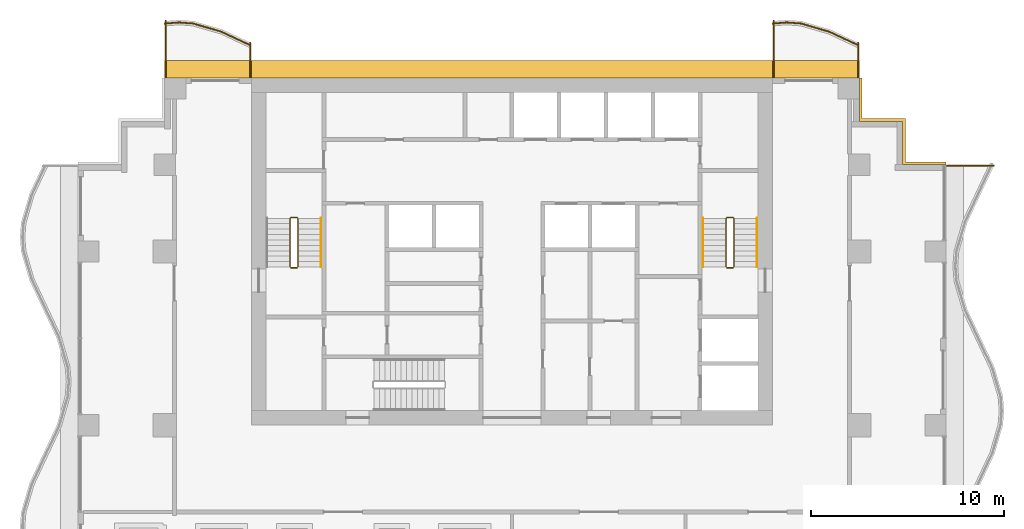
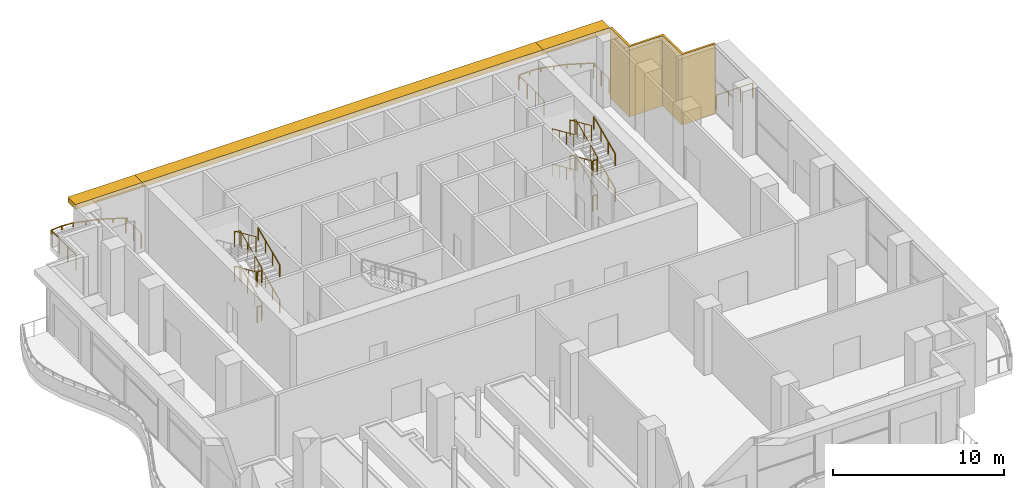
# One storey, part 15 of 16: 21 railings, 4 shading devices.
"""IFC4 building model written with IfcOpenShell, lengths in metres."""

from ifc_helpers import new_model, si_unit, direction, frame, origin, origin_2d, place, context, subcontext, project, spatial, polyline, rectangle, circle, outline, extrude, material, layer, layer_set, type_object, element, save


model = new_model("IFC4")

# Units and contexts
model_context = context("Model", 3, precision=1e-05, world=origin(), true_north=direction((0.0, 1.0)))
body_context = subcontext(model_context, "Body", "Model", "MODEL_VIEW")
ifc_project = project(units=[si_unit("LENGTHUNIT", "METRE"), si_unit("AREAUNIT", "SQUARE_METRE"), si_unit("VOLUMEUNIT", "CUBIC_METRE"), si_unit("PLANEANGLEUNIT", "RADIAN"), si_unit("MASSUNIT", "GRAM", prefix="KILO")], contexts=[model_context])

# Site, building, storey
site_placement = place(None, origin())
site = spatial("IfcSite", under=ifc_project, at=site_placement, CompositionType="ELEMENT")
building_placement = place(site_placement, origin())
building = spatial("IfcBuilding", under=site, at=building_placement, Name="Orbiselva Terraces", CompositionType="ELEMENT")
storey_placement = place(building_placement, frame((0.0, 0.0, 174.4)))
storey = spatial("IfcBuildingStorey", under=building, at=storey_placement, Name="L44", CompositionType="ELEMENT", Elevation=174.4)

# Railings
ifc_material_1 = material(Name="Stainless steel", Category="steel")
railing_type_1 = type_object("IfcRailingType", Name="CORE-GUARD-1100", PredefinedType="GUARDRAIL", material=ifc_material_1)
railing_1_placement = place(storey_placement, frame((-11.1, 12.7, 0.125)))
element("IfcRailing", 1, at=railing_1_placement, inside=storey, type_object=railing_type_1, Name="L44 S1 stair guard 1", PredefinedType="GUARDRAIL", context=body_context, shape_type="SweptSolid", body=[
    extrude(circle(Radius=0.024, at=origin_2d()), frame((0.0, 0.0, 1.081), z_axis=(0.0, 0.913137882438, 0.407650840374), x_axis=(-1.0, 0.0, 0.0)), (0.0, 0.0, 1.0), 2.759715),
    extrude(circle(Radius=0.024, at=origin_2d()), frame((0.0, 2.52, 2.206), z_axis=(-0.707106781187, 0.707106781187, 0.0), x_axis=(-0.707106781187, -0.707106781187, 0.0)), (0.0, 0.0, 1.0), 0.070711),
    extrude(circle(Radius=0.024, at=origin_2d()), frame((-0.05, 2.57, 2.206), z_axis=(-1.0, 0.0, 0.0), x_axis=(0.0, -1.0, 0.0)), (0.0, 0.0, 1.0), 0.3),
    extrude(circle(Radius=0.024, at=origin_2d()), frame((-0.35, 2.57, 2.206), z_axis=(-0.348155311911, -0.348155311911, 0.870388279778), x_axis=(0.707106781187, -0.707106781187, 0.0)), (0.0, 0.0, 1.0), 0.143614),
    extrude(circle(Radius=0.024, at=origin_2d()), frame((-0.4, 2.52, 2.331), z_axis=(0.0, -0.913137882438, 0.407650840374), x_axis=(1.0, 0.0, 0.0)), (0.0, 0.0, 1.0), 2.759715),
    extrude(circle(Radius=0.021, at=origin_2d()), origin(), (0.0, 0.0, 1.0), 1.057),
    extrude(circle(Radius=0.021, at=origin_2d()), frame((0.0, 0.84, 0.375)), (0.0, 0.0, 1.0), 1.057),
    extrude(circle(Radius=0.021, at=origin_2d()), frame((0.0, 1.68, 0.75)), (0.0, 0.0, 1.0), 1.057),
    extrude(circle(Radius=0.021, at=origin_2d()), frame((0.0, 2.52, 1.125)), (0.0, 0.0, 1.0), 1.057),
    extrude(circle(Radius=0.021, at=origin_2d()), frame((-0.05, 2.57, 1.125)), (0.0, 0.0, 1.0), 1.057),
    extrude(circle(Radius=0.021, at=origin_2d()), frame((-0.35, 2.57, 1.125)), (0.0, 0.0, 1.0), 1.057),
    extrude(circle(Radius=0.021, at=origin_2d()), frame((-0.4, 2.52, 1.25)), (0.0, 0.0, 1.0), 1.057),
    extrude(circle(Radius=0.021, at=origin_2d()), frame((-0.4, 1.68, 1.625)), (0.0, 0.0, 1.0), 1.057),
    extrude(circle(Radius=0.021, at=origin_2d()), frame((-0.4, 0.84, 2.0)), (0.0, 0.0, 1.0), 1.057),
    extrude(circle(Radius=0.021, at=origin_2d()), frame((-0.4, 0.0, 2.375)), (0.0, 0.0, 1.0), 1.057),
])
railing_2_placement = place(storey_placement, frame((-11.15, 12.65, 2.5)))
element("IfcRailing", 2, at=railing_2_placement, inside=storey, type_object=railing_type_1, Name="L44 S1 stair guard 2", PredefinedType="GUARDRAIL", context=body_context, shape_type="SweptSolid", body=[
    extrude(circle(Radius=0.024, at=origin_2d()), frame((0.0, 0.0, 1.081), z_axis=(-1.0, 0.0, 0.0), x_axis=(0.0, -1.0, 0.0)), (0.0, 0.0, 1.0), 0.3),
    extrude(circle(Radius=0.021, at=origin_2d()), origin(), (0.0, 0.0, 1.0), 1.057),
    extrude(circle(Radius=0.021, at=origin_2d()), frame((-0.3, 0.0, 0.0)), (0.0, 0.0, 1.0), 1.057),
])
railing_3_placement = place(storey_placement, frame((-11.1, 12.7, 2.625)))
element("IfcRailing", 3, at=railing_3_placement, inside=storey, type_object=railing_type_1, Name="L44 S1 stair guard 3", PredefinedType="GUARDRAIL", context=body_context, shape_type="SweptSolid", body=[
    extrude(circle(Radius=0.024, at=origin_2d()), frame((0.0, 0.0, 1.081), z_axis=(0.0, 0.913137882438, 0.407650840374), x_axis=(-1.0, 0.0, 0.0)), (0.0, 0.0, 1.0), 2.759715),
    extrude(circle(Radius=0.024, at=origin_2d()), frame((0.0, 2.52, 2.206), z_axis=(-0.707106781187, 0.707106781187, 0.0), x_axis=(-0.707106781187, -0.707106781187, 0.0)), (0.0, 0.0, 1.0), 0.070711),
    extrude(circle(Radius=0.024, at=origin_2d()), frame((-0.05, 2.57, 2.206), z_axis=(-1.0, 0.0, 0.0), x_axis=(0.0, -1.0, 0.0)), (0.0, 0.0, 1.0), 0.3),
    extrude(circle(Radius=0.024, at=origin_2d()), frame((-0.35, 2.57, 2.206), z_axis=(-0.348155311911, -0.348155311911, 0.870388279778), x_axis=(0.707106781187, -0.707106781187, 0.0)), (0.0, 0.0, 1.0), 0.143614),
    extrude(circle(Radius=0.024, at=origin_2d()), frame((-0.4, 2.52, 2.331), z_axis=(0.0, -0.913137882438, 0.407650840374), x_axis=(1.0, 0.0, 0.0)), (0.0, 0.0, 1.0), 2.759715),
    extrude(circle(Radius=0.021, at=origin_2d()), origin(), (0.0, 0.0, 1.0), 1.057),
    extrude(circle(Radius=0.021, at=origin_2d()), frame((0.0, 0.84, 0.375)), (0.0, 0.0, 1.0), 1.057),
    extrude(circle(Radius=0.021, at=origin_2d()), frame((0.0, 1.68, 0.75)), (0.0, 0.0, 1.0), 1.057),
    extrude(circle(Radius=0.021, at=origin_2d()), frame((0.0, 2.52, 1.125)), (0.0, 0.0, 1.0), 1.057),
    extrude(circle(Radius=0.021, at=origin_2d()), frame((-0.05, 2.57, 1.125)), (0.0, 0.0, 1.0), 1.057),
    extrude(circle(Radius=0.021, at=origin_2d()), frame((-0.35, 2.57, 1.125)), (0.0, 0.0, 1.0), 1.057),
    extrude(circle(Radius=0.021, at=origin_2d()), frame((-0.4, 2.52, 1.25)), (0.0, 0.0, 1.0), 1.057),
    extrude(circle(Radius=0.021, at=origin_2d()), frame((-0.4, 1.68, 1.625)), (0.0, 0.0, 1.0), 1.057),
    extrude(circle(Radius=0.021, at=origin_2d()), frame((-0.4, 0.84, 2.0)), (0.0, 0.0, 1.0), 1.057),
    extrude(circle(Radius=0.021, at=origin_2d()), frame((-0.4, 0.0, 2.375)), (0.0, 0.0, 1.0), 1.057),
])
railing_4_placement = place(storey_placement, frame((-11.15, 12.65, 0.0)))
element("IfcRailing", 4, at=railing_4_placement, inside=storey, type_object=railing_type_1, Name="L44 S1 stair guard 4", PredefinedType="GUARDRAIL", context=body_context, shape_type="SweptSolid", body=[
    extrude(circle(Radius=0.024, at=origin_2d()), frame((0.0, 0.0, 1.081), z_axis=(-1.0, 0.0, 0.0), x_axis=(0.0, -1.0, 0.0)), (0.0, 0.0, 1.0), 0.3),
    extrude(circle(Radius=0.021, at=origin_2d()), origin(), (0.0, 0.0, 1.0), 1.057),
    extrude(circle(Radius=0.021, at=origin_2d()), frame((-0.3, 0.0, 0.0)), (0.0, 0.0, 1.0), 1.057),
])
railing_5_placement = place(storey_placement, frame((11.5, 12.7, 0.125)))
element("IfcRailing", 5, at=railing_5_placement, inside=storey, type_object=railing_type_1, Name="L44 S2 stair guard 1", PredefinedType="GUARDRAIL", context=body_context, shape_type="SweptSolid", body=[
    extrude(circle(Radius=0.024, at=origin_2d()), frame((0.0, 0.0, 1.081), z_axis=(0.0, 0.913137882438, 0.407650840374), x_axis=(-1.0, 0.0, 0.0)), (0.0, 0.0, 1.0), 2.759715),
    extrude(circle(Radius=0.024, at=origin_2d()), frame((0.0, 2.52, 2.206), z_axis=(-0.707106781187, 0.707106781187, 0.0), x_axis=(-0.707106781187, -0.707106781187, 0.0)), (0.0, 0.0, 1.0), 0.070711),
    extrude(circle(Radius=0.024, at=origin_2d()), frame((-0.05, 2.57, 2.206), z_axis=(-1.0, 0.0, 0.0), x_axis=(0.0, -1.0, 0.0)), (0.0, 0.0, 1.0), 0.3),
    extrude(circle(Radius=0.024, at=origin_2d()), frame((-0.35, 2.57, 2.206), z_axis=(-0.348155311911, -0.348155311911, 0.870388279778), x_axis=(0.707106781187, -0.707106781187, 0.0)), (0.0, 0.0, 1.0), 0.143614),
    extrude(circle(Radius=0.024, at=origin_2d()), frame((-0.4, 2.52, 2.331), z_axis=(0.0, -0.913137882438, 0.407650840374), x_axis=(1.0, 0.0, 0.0)), (0.0, 0.0, 1.0), 2.759715),
    extrude(circle(Radius=0.021, at=origin_2d()), origin(), (0.0, 0.0, 1.0), 1.057),
    extrude(circle(Radius=0.021, at=origin_2d()), frame((0.0, 0.84, 0.375)), (0.0, 0.0, 1.0), 1.057),
    extrude(circle(Radius=0.021, at=origin_2d()), frame((0.0, 1.68, 0.75)), (0.0, 0.0, 1.0), 1.057),
    extrude(circle(Radius=0.021, at=origin_2d()), frame((0.0, 2.52, 1.125)), (0.0, 0.0, 1.0), 1.057),
    extrude(circle(Radius=0.021, at=origin_2d()), frame((-0.05, 2.57, 1.125)), (0.0, 0.0, 1.0), 1.057),
    extrude(circle(Radius=0.021, at=origin_2d()), frame((-0.35, 2.57, 1.125)), (0.0, 0.0, 1.0), 1.057),
    extrude(circle(Radius=0.021, at=origin_2d()), frame((-0.4, 2.52, 1.25)), (0.0, 0.0, 1.0), 1.057),
    extrude(circle(Radius=0.021, at=origin_2d()), frame((-0.4, 1.68, 1.625)), (0.0, 0.0, 1.0), 1.057),
    extrude(circle(Radius=0.021, at=origin_2d()), frame((-0.4, 0.84, 2.0)), (0.0, 0.0, 1.0), 1.057),
    extrude(circle(Radius=0.021, at=origin_2d()), frame((-0.4, 0.0, 2.375)), (0.0, 0.0, 1.0), 1.057),
])
railing_6_placement = place(storey_placement, frame((11.45, 12.65, 2.5)))
element("IfcRailing", 6, at=railing_6_placement, inside=storey, type_object=railing_type_1, Name="L44 S2 stair guard 2", PredefinedType="GUARDRAIL", context=body_context, shape_type="SweptSolid", body=[
    extrude(circle(Radius=0.024, at=origin_2d()), frame((0.0, 0.0, 1.081), z_axis=(-1.0, 0.0, 0.0), x_axis=(0.0, -1.0, 0.0)), (0.0, 0.0, 1.0), 0.3),
    extrude(circle(Radius=0.021, at=origin_2d()), origin(), (0.0, 0.0, 1.0), 1.057),
    extrude(circle(Radius=0.021, at=origin_2d()), frame((-0.3, 0.0, 0.0)), (0.0, 0.0, 1.0), 1.057),
])
railing_7_placement = place(storey_placement, frame((11.5, 12.7, 2.625)))
element("IfcRailing", 7, at=railing_7_placement, inside=storey, type_object=railing_type_1, Name="L44 S2 stair guard 3", PredefinedType="GUARDRAIL", context=body_context, shape_type="SweptSolid", body=[
    extrude(circle(Radius=0.024, at=origin_2d()), frame((0.0, 0.0, 1.081), z_axis=(0.0, 0.913137882438, 0.407650840374), x_axis=(-1.0, 0.0, 0.0)), (0.0, 0.0, 1.0), 2.759715),
    extrude(circle(Radius=0.024, at=origin_2d()), frame((0.0, 2.52, 2.206), z_axis=(-0.707106781187, 0.707106781187, 0.0), x_axis=(-0.707106781187, -0.707106781187, 0.0)), (0.0, 0.0, 1.0), 0.070711),
    extrude(circle(Radius=0.024, at=origin_2d()), frame((-0.05, 2.57, 2.206), z_axis=(-1.0, 0.0, 0.0), x_axis=(0.0, -1.0, 0.0)), (0.0, 0.0, 1.0), 0.3),
    extrude(circle(Radius=0.024, at=origin_2d()), frame((-0.35, 2.57, 2.206), z_axis=(-0.348155311911, -0.348155311911, 0.870388279778), x_axis=(0.707106781187, -0.707106781187, 0.0)), (0.0, 0.0, 1.0), 0.143614),
    extrude(circle(Radius=0.024, at=origin_2d()), frame((-0.4, 2.52, 2.331), z_axis=(0.0, -0.913137882438, 0.407650840374), x_axis=(1.0, 0.0, 0.0)), (0.0, 0.0, 1.0), 2.759715),
    extrude(circle(Radius=0.021, at=origin_2d()), origin(), (0.0, 0.0, 1.0), 1.057),
    extrude(circle(Radius=0.021, at=origin_2d()), frame((0.0, 0.84, 0.375)), (0.0, 0.0, 1.0), 1.057),
    extrude(circle(Radius=0.021, at=origin_2d()), frame((0.0, 1.68, 0.75)), (0.0, 0.0, 1.0), 1.057),
    extrude(circle(Radius=0.021, at=origin_2d()), frame((0.0, 2.52, 1.125)), (0.0, 0.0, 1.0), 1.057),
    extrude(circle(Radius=0.021, at=origin_2d()), frame((-0.05, 2.57, 1.125)), (0.0, 0.0, 1.0), 1.057),
    extrude(circle(Radius=0.021, at=origin_2d()), frame((-0.35, 2.57, 1.125)), (0.0, 0.0, 1.0), 1.057),
    extrude(circle(Radius=0.021, at=origin_2d()), frame((-0.4, 2.52, 1.25)), (0.0, 0.0, 1.0), 1.057),
    extrude(circle(Radius=0.021, at=origin_2d()), frame((-0.4, 1.68, 1.625)), (0.0, 0.0, 1.0), 1.057),
    extrude(circle(Radius=0.021, at=origin_2d()), frame((-0.4, 0.84, 2.0)), (0.0, 0.0, 1.0), 1.057),
    extrude(circle(Radius=0.021, at=origin_2d()), frame((-0.4, 0.0, 2.375)), (0.0, 0.0, 1.0), 1.057),
])
railing_8_placement = place(storey_placement, frame((11.45, 12.65, 0.0)))
element("IfcRailing", 8, at=railing_8_placement, inside=storey, type_object=railing_type_1, Name="L44 S2 stair guard 4", PredefinedType="GUARDRAIL", context=body_context, shape_type="SweptSolid", body=[
    extrude(circle(Radius=0.024, at=origin_2d()), frame((0.0, 0.0, 1.081), z_axis=(-1.0, 0.0, 0.0), x_axis=(0.0, -1.0, 0.0)), (0.0, 0.0, 1.0), 0.3),
    extrude(circle(Radius=0.021, at=origin_2d()), origin(), (0.0, 0.0, 1.0), 1.057),
    extrude(circle(Radius=0.021, at=origin_2d()), frame((-0.3, 0.0, 0.0)), (0.0, 0.0, 1.0), 1.057),
])
railing_type_2 = type_object("IfcRailingType", Name="CORE-HANDRAIL-900", PredefinedType="HANDRAIL", material=ifc_material_1)
for number, where, name in (
    (9, (-9.9, 12.7, 0.125), "L44 S1 stair handrail 1"),
    (10, (-9.9, 12.7, 2.625), "L44 S1 stair handrail 3"),
    (11, (12.7, 12.7, 0.125), "L44 S2 stair handrail 1"),
):
    element("IfcRailing", number, at=place(storey_placement, frame(where)), inside=storey, type_object=railing_type_2, Name=name, PredefinedType="HANDRAIL", context=body_context, shape_type="SweptSolid", body=[
        extrude(circle(Radius=0.024, at=origin_2d()), frame((0.0, 0.0, 0.876), z_axis=(0.0, 0.913137882438, 0.407650840374), x_axis=(-1.0, 0.0, 0.0)), (0.0, 0.0, 1.0), 2.759715),
        extrude(circle(Radius=0.021, at=origin_2d()), origin(), (0.0, 0.0, 1.0), 0.852),
        extrude(circle(Radius=0.021, at=origin_2d()), frame((0.0, 0.84, 0.375)), (0.0, 0.0, 1.0), 0.852),
        extrude(circle(Radius=0.021, at=origin_2d()), frame((0.0, 1.68, 0.75)), (0.0, 0.0, 1.0), 0.852),
        extrude(circle(Radius=0.021, at=origin_2d()), frame((0.0, 2.52, 1.125)), (0.0, 0.0, 1.0), 0.852),
    ])
railing_9_placement = place(storey_placement, frame((9.9, 15.22, 1.375)))
element("IfcRailing", 12, at=railing_9_placement, inside=storey, type_object=railing_type_2, Name="L44 S2 stair handrail 2", PredefinedType="HANDRAIL", context=body_context, shape_type="SweptSolid", body=[
    extrude(circle(Radius=0.024, at=origin_2d()), frame((0.0, 0.0, 0.876), z_axis=(0.0, -0.913137882438, 0.407650840374), x_axis=(1.0, 0.0, 0.0)), (0.0, 0.0, 1.0), 2.759715),
    extrude(circle(Radius=0.021, at=origin_2d()), origin(), (0.0, 0.0, 1.0), 0.852),
    extrude(circle(Radius=0.021, at=origin_2d()), frame((0.0, -0.84, 0.375)), (0.0, 0.0, 1.0), 0.852),
    extrude(circle(Radius=0.021, at=origin_2d()), frame((0.0, -1.68, 0.75)), (0.0, 0.0, 1.0), 0.852),
    extrude(circle(Radius=0.021, at=origin_2d()), frame((0.0, -2.52, 1.125)), (0.0, 0.0, 1.0), 0.852),
])
railing_10_placement = place(storey_placement, frame((12.7, 12.7, 2.625)))
element("IfcRailing", 13, at=railing_10_placement, inside=storey, type_object=railing_type_2, Name="L44 S2 stair handrail 3", PredefinedType="HANDRAIL", context=body_context, shape_type="SweptSolid", body=[
    extrude(circle(Radius=0.024, at=origin_2d()), frame((0.0, 0.0, 0.876), z_axis=(0.0, 0.913137882438, 0.407650840374), x_axis=(-1.0, 0.0, 0.0)), (0.0, 0.0, 1.0), 2.759715),
    extrude(circle(Radius=0.021, at=origin_2d()), origin(), (0.0, 0.0, 1.0), 0.852),
    extrude(circle(Radius=0.021, at=origin_2d()), frame((0.0, 0.84, 0.375)), (0.0, 0.0, 1.0), 0.852),
    extrude(circle(Radius=0.021, at=origin_2d()), frame((0.0, 1.68, 0.75)), (0.0, 0.0, 1.0), 0.852),
    extrude(circle(Radius=0.021, at=origin_2d()), frame((0.0, 2.52, 1.125)), (0.0, 0.0, 1.0), 0.852),
])
railing_11_placement = place(storey_placement, frame((9.9, 15.22, 3.875)))
element("IfcRailing", 14, at=railing_11_placement, inside=storey, type_object=railing_type_2, Name="L44 S2 stair handrail 4", PredefinedType="HANDRAIL", context=body_context, shape_type="SweptSolid", body=[
    extrude(circle(Radius=0.024, at=origin_2d()), frame((0.0, 0.0, 0.876), z_axis=(0.0, -0.913137882438, 0.407650840374), x_axis=(1.0, 0.0, 0.0)), (0.0, 0.0, 1.0), 2.759715),
    extrude(circle(Radius=0.021, at=origin_2d()), origin(), (0.0, 0.0, 1.0), 0.852),
    extrude(circle(Radius=0.021, at=origin_2d()), frame((0.0, -0.84, 0.375)), (0.0, 0.0, 1.0), 0.852),
    extrude(circle(Radius=0.021, at=origin_2d()), frame((0.0, -1.68, 0.75)), (0.0, 0.0, 1.0), 0.852),
    extrude(circle(Radius=0.021, at=origin_2d()), frame((0.0, -2.52, 1.125)), (0.0, 0.0, 1.0), 0.852),
])
ifc_material_2 = material(Name="Bonded two-ply safety glass balustrade, stainless steel posts", Category="steel")
railing_type_3 = type_object("IfcRailingType", Name="ENV-BALUSTRADE-1200", PredefinedType="BALUSTRADE", material=ifc_material_2)
railing_12_placement = place(storey_placement, frame((17.946809, 24.186882, 0.9)))
element("IfcRailing", 15, at=railing_12_placement, inside=storey, type_object=railing_type_3, Name="Balcony balustrade L44 NE", PredefinedType="BALUSTRADE", context=body_context, shape_type="SweptSolid", body=[
    extrude(outline(polyline([(0.028868, 0.0), (0.014434, 0.025), (-0.014434, 0.025), (-0.028868, 0.0), (-0.014434, -0.025), (0.014434, -0.025), (0.028868, 0.0)])), frame((0.0, 0.0, 0.275), z_axis=(-0.904944359461, 0.425529912322, 0.0), x_axis=(-0.425529912322, -0.904944359461, 0.0)), (0.0, 0.0, 1.0), 1.647746),
    extrude(outline(polyline([(0.028868, 0.0), (0.014434, 0.025), (-0.014434, 0.025), (-0.028868, 0.0), (-0.014434, -0.025), (0.014434, -0.025), (0.028868, 0.0)])), frame((-1.491118, 0.701165, 0.275), z_axis=(-0.960270317007, 0.279071528957, 0.0), x_axis=(-0.279071528957, -0.960270317007, 0.0)), (0.0, 0.0, 1.0), 1.539408),
    extrude(outline(polyline([(0.028868, 0.0), (0.014434, 0.025), (-0.014434, 0.025), (-0.028868, 0.0), (-0.014434, -0.025), (0.014434, -0.025), (0.028868, 0.0)])), frame((-2.969366, 1.13077, 0.275), z_axis=(-0.996947916106, 0.078069536776, 0.0), x_axis=(-0.078069536776, -0.996947916106, 0.0)), (0.0, 0.0, 1.0), 0.72967),
    extrude(outline(polyline([(0.028868, 0.0), (0.014434, 0.025), (-0.014434, 0.025), (-0.028868, 0.0), (-0.014434, -0.025), (0.014434, -0.025), (0.028868, 0.0)])), frame((-3.696809, 1.187735, 0.275), z_axis=(-0.996947936306, -0.078069278821, 0.0), x_axis=(0.078069278821, -0.996947936306, 0.0)), (0.0, 0.0, 1.0), 0.742507),
    extrude(rectangle(XDim=0.05, YDim=0.05, at=origin_2d()), origin(), (0.0, 0.0, 1.0), 0.25),
    extrude(rectangle(XDim=0.05, YDim=0.05, at=origin_2d()), frame((-0.745559, 0.350582, 0.0)), (0.0, 0.0, 1.0), 0.25),
    extrude(rectangle(XDim=0.05, YDim=0.05, at=origin_2d()), frame((-1.491118, 0.701165, 0.0)), (0.0, 0.0, 1.0), 0.25),
    extrude(rectangle(XDim=0.05, YDim=0.05, at=origin_2d()), frame((-2.230242, 0.915967, 0.0)), (0.0, 0.0, 1.0), 0.25),
    extrude(rectangle(XDim=0.05, YDim=0.05, at=origin_2d()), frame((-2.969366, 1.13077, 0.0)), (0.0, 0.0, 1.0), 0.25),
    extrude(rectangle(XDim=0.05, YDim=0.05, at=origin_2d()), frame((-3.696809, 1.187735, 0.0)), (0.0, 0.0, 1.0), 0.25),
    extrude(rectangle(XDim=0.05, YDim=0.05, at=origin_2d()), frame((-4.43705, 1.129768, 0.0)), (0.0, 0.0, 1.0), 0.25),
])
railing_13_placement = place(storey_placement, frame((-13.553191, 24.186882, 0.9)))
element("IfcRailing", 16, at=railing_13_placement, inside=storey, type_object=railing_type_3, Name="Balcony balustrade L44 NW", PredefinedType="BALUSTRADE", context=body_context, shape_type="SweptSolid", body=[
    extrude(outline(polyline([(0.028868, 0.0), (0.014434, 0.025), (-0.014434, 0.025), (-0.028868, 0.0), (-0.014434, -0.025), (0.014434, -0.025), (0.028868, 0.0)])), frame((0.0, 0.0, 0.275), z_axis=(-0.904944359461, 0.425529912322, 0.0), x_axis=(-0.425529912322, -0.904944359461, 0.0)), (0.0, 0.0, 1.0), 1.647746),
    extrude(outline(polyline([(0.028868, 0.0), (0.014434, 0.025), (-0.014434, 0.025), (-0.028868, 0.0), (-0.014434, -0.025), (0.014434, -0.025), (0.028868, 0.0)])), frame((-1.491118, 0.701165, 0.275), z_axis=(-0.960270317007, 0.279071528957, 0.0), x_axis=(-0.279071528957, -0.960270317007, 0.0)), (0.0, 0.0, 1.0), 1.539408),
    extrude(outline(polyline([(0.028868, 0.0), (0.014434, 0.025), (-0.014434, 0.025), (-0.028868, 0.0), (-0.014434, -0.025), (0.014434, -0.025), (0.028868, 0.0)])), frame((-2.969366, 1.13077, 0.275), z_axis=(-0.996947916106, 0.078069536776, 0.0), x_axis=(-0.078069536776, -0.996947916106, 0.0)), (0.0, 0.0, 1.0), 0.72967),
    extrude(outline(polyline([(0.028868, 0.0), (0.014434, 0.025), (-0.014434, 0.025), (-0.028868, 0.0), (-0.014434, -0.025), (0.014434, -0.025), (0.028868, 0.0)])), frame((-3.696809, 1.187735, 0.275), z_axis=(-0.996947936306, -0.078069278821, 0.0), x_axis=(0.078069278821, -0.996947936306, 0.0)), (0.0, 0.0, 1.0), 0.742507),
    extrude(rectangle(XDim=0.05, YDim=0.05, at=origin_2d()), origin(), (0.0, 0.0, 1.0), 0.25),
    extrude(rectangle(XDim=0.05, YDim=0.05, at=origin_2d()), frame((-0.745559, 0.350582, 0.0)), (0.0, 0.0, 1.0), 0.25),
    extrude(rectangle(XDim=0.05, YDim=0.05, at=origin_2d()), frame((-1.491118, 0.701165, 0.0)), (0.0, 0.0, 1.0), 0.25),
    extrude(rectangle(XDim=0.05, YDim=0.05, at=origin_2d()), frame((-2.230242, 0.915967, 0.0)), (0.0, 0.0, 1.0), 0.25),
    extrude(rectangle(XDim=0.05, YDim=0.05, at=origin_2d()), frame((-2.969366, 1.13077, 0.0)), (0.0, 0.0, 1.0), 0.25),
    extrude(rectangle(XDim=0.05, YDim=0.05, at=origin_2d()), frame((-3.696809, 1.187735, 0.0)), (0.0, 0.0, 1.0), 0.25),
    extrude(rectangle(XDim=0.05, YDim=0.05, at=origin_2d()), frame((-4.43705, 1.129768, 0.0)), (0.0, 0.0, 1.0), 0.25),
])
ifc_material_3 = material(Name="Stainless steel rail and posts", Category="steel")
railing_type_4 = type_object("IfcRailingType", Name="ENV-GUARD-1105", PredefinedType="BALUSTRADE", material=ifc_material_3)
railing_14_placement = place(storey_placement, frame((24.980723, 17.94, 0.0)))
element("IfcRailing", 17, at=railing_14_placement, inside=storey, type_object=railing_type_4, Name="Balcony end guard L44 E", PredefinedType="BALUSTRADE", context=body_context, shape_type="SweptSolid", body=[
    extrude(outline(polyline([(0.028868, 0.0), (0.014434, 0.025), (-0.014434, 0.025), (-0.028868, 0.0), (-0.014434, -0.025), (0.014434, -0.025), (0.028868, 0.0)])), frame((0.0, 0.0, 1.08), z_axis=(-1.0, 0.0, 0.0), x_axis=(0.0, -1.0, 0.0)), (0.0, 0.0, 1.0), 2.455723),
    extrude(rectangle(XDim=0.05, YDim=0.05, at=origin_2d()), origin(), (0.0, 0.0, 1.0), 1.055),
    extrude(rectangle(XDim=0.05, YDim=0.05, at=origin_2d()), frame((-0.818574, 0.0, 0.0)), (0.0, 0.0, 1.0), 1.055),
    extrude(rectangle(XDim=0.05, YDim=0.05, at=origin_2d()), frame((-1.637149, 0.0, 0.0)), (0.0, 0.0, 1.0), 1.055),
    extrude(rectangle(XDim=0.05, YDim=0.05, at=origin_2d()), frame((-2.455723, 0.0, 0.0)), (0.0, 0.0, 1.0), 1.055),
])
railing_15_placement = place(storey_placement, frame((17.94, 24.330156, 0.0)))
element("IfcRailing", 18, at=railing_15_placement, inside=storey, type_object=railing_type_4, Name="Balcony end guard L44 NE", PredefinedType="BALUSTRADE", context=body_context, shape_type="SweptSolid", body=[
    extrude(outline(polyline([(0.028868, 0.0), (0.014434, 0.025), (-0.014434, 0.025), (-0.028868, 0.0), (-0.014434, -0.025), (0.014434, -0.025), (0.028868, 0.0)])), frame((0.0, 0.0, 1.08), z_axis=(0.0, -1.0, 0.0), x_axis=(1.0, 0.0, 0.0)), (0.0, 0.0, 1.0), 1.805156),
    extrude(rectangle(XDim=0.05, YDim=0.05, at=origin_2d()), origin(), (0.0, 0.0, 1.0), 1.055),
    extrude(rectangle(XDim=0.05, YDim=0.05, at=origin_2d()), frame((0.0, -0.902578, 0.0)), (0.0, 0.0, 1.0), 1.055),
    extrude(rectangle(XDim=0.05, YDim=0.05, at=origin_2d()), frame((0.0, -1.805156, 0.0)), (0.0, 0.0, 1.0), 1.055),
])
railing_16_placement = place(storey_placement, frame((13.56, 25.450226, 0.0)))
element("IfcRailing", 19, at=railing_16_placement, inside=storey, type_object=railing_type_4, Name="Balcony end guard L44 NE", PredefinedType="BALUSTRADE", context=body_context, shape_type="SweptSolid", body=[
    extrude(outline(polyline([(0.028868, 0.0), (0.014434, 0.025), (-0.014434, 0.025), (-0.028868, 0.0), (-0.014434, -0.025), (0.014434, -0.025), (0.028868, 0.0)])), frame((0.0, 0.0, 1.08), z_axis=(0.0, -1.0, 0.0), x_axis=(1.0, 0.0, 0.0)), (0.0, 0.0, 1.0), 2.925226),
    extrude(rectangle(XDim=0.05, YDim=0.05, at=origin_2d()), origin(), (0.0, 0.0, 1.0), 1.055),
    extrude(rectangle(XDim=0.05, YDim=0.05, at=origin_2d()), frame((0.0, -0.975075, 0.0)), (0.0, 0.0, 1.0), 1.055),
    extrude(rectangle(XDim=0.05, YDim=0.05, at=origin_2d()), frame((0.0, -1.950151, 0.0)), (0.0, 0.0, 1.0), 1.055),
    extrude(rectangle(XDim=0.05, YDim=0.05, at=origin_2d()), frame((0.0, -2.925226, 0.0)), (0.0, 0.0, 1.0), 1.055),
])
railing_17_placement = place(storey_placement, frame((-13.56, 24.330156, 0.0)))
element("IfcRailing", 20, at=railing_17_placement, inside=storey, type_object=railing_type_4, Name="Balcony end guard L44 NW", PredefinedType="BALUSTRADE", context=body_context, shape_type="SweptSolid", body=[
    extrude(outline(polyline([(0.028868, 0.0), (0.014434, 0.025), (-0.014434, 0.025), (-0.028868, 0.0), (-0.014434, -0.025), (0.014434, -0.025), (0.028868, 0.0)])), frame((0.0, 0.0, 1.08), z_axis=(0.0, -1.0, 0.0), x_axis=(1.0, 0.0, 0.0)), (0.0, 0.0, 1.0), 1.805156),
    extrude(rectangle(XDim=0.05, YDim=0.05, at=origin_2d()), origin(), (0.0, 0.0, 1.0), 1.055),
    extrude(rectangle(XDim=0.05, YDim=0.05, at=origin_2d()), frame((0.0, -0.902578, 0.0)), (0.0, 0.0, 1.0), 1.055),
    extrude(rectangle(XDim=0.05, YDim=0.05, at=origin_2d()), frame((0.0, -1.805156, 0.0)), (0.0, 0.0, 1.0), 1.055),
])
railing_18_placement = place(storey_placement, frame((-17.94, 25.450226, 0.0)))
element("IfcRailing", 21, at=railing_18_placement, inside=storey, type_object=railing_type_4, Name="Balcony end guard L44 NW", PredefinedType="BALUSTRADE", context=body_context, shape_type="SweptSolid", body=[
    extrude(outline(polyline([(0.028868, 0.0), (0.014434, 0.025), (-0.014434, 0.025), (-0.028868, 0.0), (-0.014434, -0.025), (0.014434, -0.025), (0.028868, 0.0)])), frame((0.0, 0.0, 1.08), z_axis=(0.0, -1.0, 0.0), x_axis=(1.0, 0.0, 0.0)), (0.0, 0.0, 1.0), 2.925226),
    extrude(rectangle(XDim=0.05, YDim=0.05, at=origin_2d()), origin(), (0.0, 0.0, 1.0), 1.055),
    extrude(rectangle(XDim=0.05, YDim=0.05, at=origin_2d()), frame((0.0, -0.975075, 0.0)), (0.0, 0.0, 1.0), 1.055),
    extrude(rectangle(XDim=0.05, YDim=0.05, at=origin_2d()), frame((0.0, -1.950151, 0.0)), (0.0, 0.0, 1.0), 1.055),
    extrude(rectangle(XDim=0.05, YDim=0.05, at=origin_2d()), frame((0.0, -2.925226, 0.0)), (0.0, 0.0, 1.0), 1.055),
])

# Shading devices
ifc_material_4 = material(Name="Terracotta louvre screen", Category="masonry")
ifc_layer_1 = layer(ifc_material_4, 0.15)
ifc_layer_set_1 = layer_set([ifc_layer_1], Name="Terracotta louvre screen")
shading_device_type_1 = type_object("IfcShadingDeviceType", Name="ENV-SCREEN-150", PredefinedType="USERDEFINED", material=ifc_layer_set_1)
shading_device_1_placement = place(storey_placement, frame((0.0, 0.0, -0.3)))
element("IfcShadingDevice", 22, at=shading_device_1_placement, inside=storey, type_object=shading_device_type_1, Name="Louvre screen L44 NE", ObjectType="SCREEN", PredefinedType="USERDEFINED", context=body_context, shape_type="SweptSolid", body=[
    extrude(outline(polyline([(22.5, 18.15), (20.4, 18.15), (20.4, 20.4), (18.15, 20.4), (18.15, 22.5), (18.0, 22.5), (18.0, 20.25), (20.25, 20.25), (20.25, 18.0), (22.5, 18.0), (22.5, 18.15)])), origin(), (0.0, 0.0, 1.0), 5.0),
])
ifc_material_5 = material(Name="Terracotta baguette sunshade", Category="masonry")
ifc_layer_2 = layer(ifc_material_5, 0.35)
ifc_layer_set_2 = layer_set([ifc_layer_2], Name="Terracotta baguette sunshade")
shading_device_type_2 = type_object("IfcShadingDeviceType", Name="ENV-SUNSHADE-900x350", PredefinedType="USERDEFINED", material=ifc_layer_set_2)
shading_device_2_placement = place(storey_placement, frame((0.0, 0.0, 4.35)))
element("IfcShadingDevice", 23, at=shading_device_2_placement, inside=storey, type_object=shading_device_type_2, Name="Sunshade band L44 NE", ObjectType="SUNSHADE", PredefinedType="USERDEFINED", context=body_context, shape_type="SweptSolid", body=[
    extrude(outline(polyline([(18.0, 23.4), (13.5, 23.4), (13.5, 22.5), (18.0, 22.5), (18.0, 23.4)])), origin(), (0.0, 0.0, 1.0), 0.35),
])
shading_device_3_placement = place(storey_placement, frame((0.0, 0.0, 4.35)))
element("IfcShadingDevice", 24, at=shading_device_3_placement, inside=storey, type_object=shading_device_type_2, Name="Sunshade band L44 CORE NORTH", ObjectType="SUNSHADE", PredefinedType="USERDEFINED", context=body_context, shape_type="SweptSolid", body=[
    extrude(outline(polyline([(13.5, 23.4), (-13.5, 23.4), (-13.5, 22.5), (13.5, 22.5), (13.5, 23.4)])), origin(), (0.0, 0.0, 1.0), 0.35),
])
shading_device_4_placement = place(storey_placement, frame((0.0, 0.0, 4.35)))
element("IfcShadingDevice", 25, at=shading_device_4_placement, inside=storey, type_object=shading_device_type_2, Name="Sunshade band L44 NW", ObjectType="SUNSHADE", PredefinedType="USERDEFINED", context=body_context, shape_type="SweptSolid", body=[
    extrude(outline(polyline([(-13.5, 23.4), (-18.0, 23.4), (-18.0, 22.5), (-13.5, 22.5), (-13.5, 23.4)])), origin(), (0.0, 0.0, 1.0), 0.35),
])

save(model, "model.ifc")
